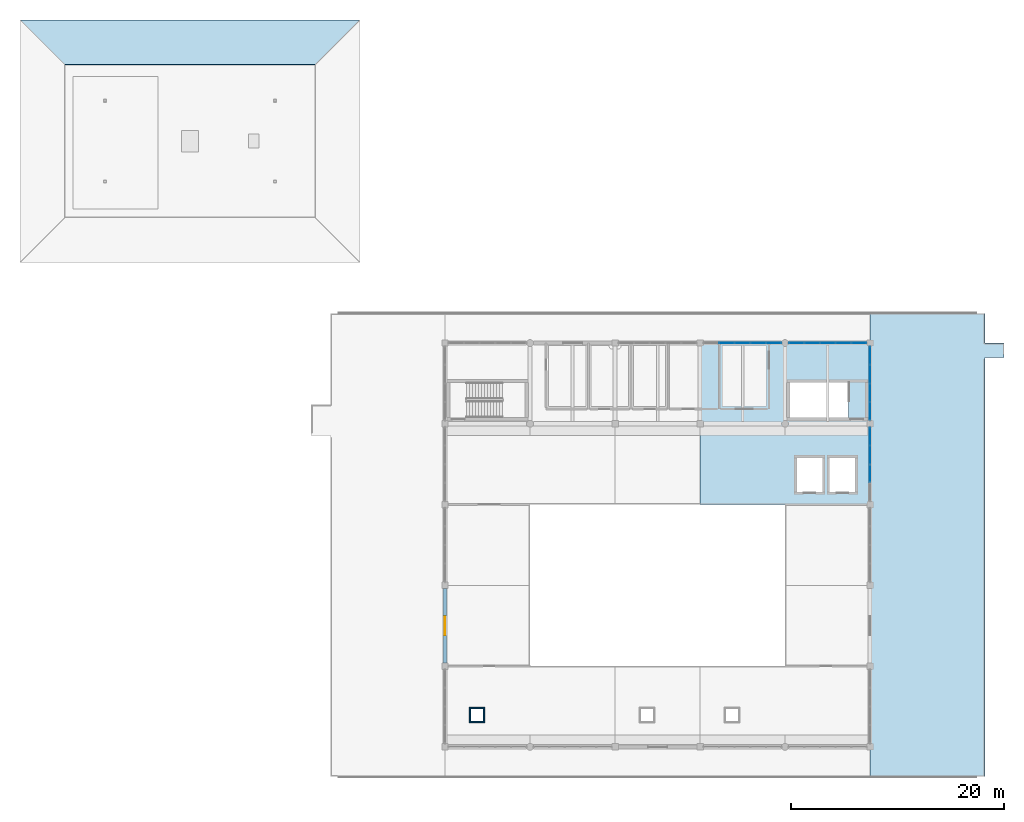
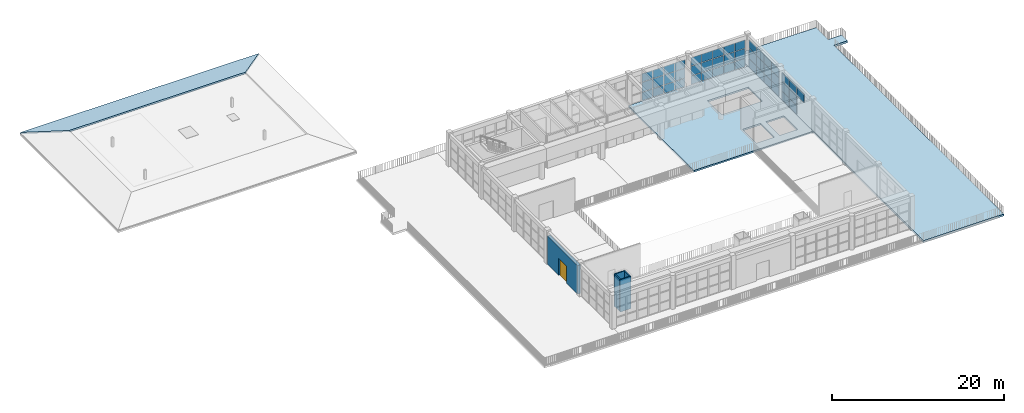
# One storey, part 25 of 32: 46 plates, 5 walls, 3 slabs, 1 door, 1 opening, 5 elements without a shape of their own.
"""IFC4 building model written with IfcOpenShell, lengths in metres."""

import ifcopenshell
import ifcopenshell.guid

model = None  # the IFC model being written
_history = None  # IfcOwnerHistory: only IFC2X3 demands one
_inside = {}  # id of a spatial element -> (the spatial element, [elements in it])
_under = {}  # id of a project, library or spatial element -> (it, [spatial elements below it])
_declared = {}  # id of a project -> (the project, [libraries it declares])
_typed = {}  # id of a type object -> (the type object, [elements of that type])
_made_of = {}  # id of a material, layer set ... -> (it, [elements and type objects made of it])


def new_model(schema):
    """Start an empty IFC model of exactly this schema.

    Asked for "IFC4X3", IfcOpenShell would pick the latest addendum, in which some entities
    have other attributes; the version numbers below select the first issue.
    IFC2X3 requires an IfcOwnerHistory on every rooted entity: one is made here for all.
    """
    global model, _history
    if schema == "IFC4X3":
        model = ifcopenshell.file(schema_version=(4, 3, 0, 0))
    else:
        model = ifcopenshell.file(schema=schema)
    _inside.clear()
    _under.clear()
    _declared.clear()
    _typed.clear()
    _made_of.clear()
    _history = None
    if model.schema == "IFC2X3":
        org = make("IfcOrganization", Name="unknown")
        user = make(
            "IfcPersonAndOrganization",
            ThePerson=make("IfcPerson", FamilyName="unknown"),
            TheOrganization=org,
        )
        app = make(
            "IfcApplication",
            ApplicationDeveloper=org,
            Version="unknown",
            ApplicationFullName="unknown",
            ApplicationIdentifier="unknown",
        )
        _history = make(
            "IfcOwnerHistory",
            OwningUser=user,
            OwningApplication=app,
            ChangeAction="ADDED",
            CreationDate=0,
        )
    return model


def make(cls, **values):
    """One entity of the class cls with the attributes given. An attribute that is None is left unset."""
    return model.create_entity(
        cls, **{name: value for name, value in values.items() if value is not None}
    )


def rooted(cls, **values):
    """An entity with a GlobalId (a new one), such as an element, a storey or a relation."""
    return make(cls, GlobalId=ifcopenshell.guid.new(), OwnerHistory=_history, **values)


def si_unit(unit_type, name, prefix=None):
    """IfcSIUnit, for example si_unit("LENGTHUNIT", "METRE", prefix="MILLI")."""
    return make("IfcSIUnit", UnitType=unit_type, Prefix=prefix, Name=name)


def assignment(units):
    """IfcUnitAssignment: the units of a project."""
    return None if units is None else make("IfcUnitAssignment", Units=units)


def point(xyz):
    """IfcCartesianPoint."""
    return None if xyz is None else make("IfcCartesianPoint", Coordinates=xyz)


def direction(xyz):
    """IfcDirection."""
    return None if xyz is None else make("IfcDirection", DirectionRatios=xyz)


def frame(location, z_axis=None, x_axis=None):
    """IfcAxis2Placement3D, a coordinate frame: its origin and axes. An axis left out is left unset."""
    return make(
        "IfcAxis2Placement3D",
        Location=point(location),
        Axis=direction(z_axis),
        RefDirection=direction(x_axis),
    )


def frame_2d(location, x_axis=None):
    """IfcAxis2Placement2D, a coordinate frame in the plane: its origin and x axis."""
    return make(
        "IfcAxis2Placement2D", Location=point(location), RefDirection=direction(x_axis)
    )


def origin():
    """The frame at (0, 0, 0) with its axes left unset."""
    return frame((0.0, 0.0, 0.0))


def origin_2d():
    """The frame at (0, 0) in the plane with its x axis left unset."""
    return frame_2d((0.0, 0.0))


def place(relative_to, where):
    """IfcLocalPlacement: puts the frame where relative to a parent placement (None: the world)."""
    return make(
        "IfcLocalPlacement", PlacementRelTo=relative_to, RelativePlacement=where
    )


def context(
    kind, dimensions, precision=None, world=None, true_north=None, identifier=None
):
    """IfcGeometricRepresentationContext, for example the 3D "Model" context."""
    return make(
        "IfcGeometricRepresentationContext",
        ContextIdentifier=identifier,
        ContextType=kind,
        CoordinateSpaceDimension=dimensions,
        Precision=precision,
        WorldCoordinateSystem=world,
        TrueNorth=true_north,
    )


def subcontext(parent, identifier, kind, view, scale=None):
    """IfcGeometricRepresentationSubContext, for example "Body" below "Model"."""
    return make(
        "IfcGeometricRepresentationSubContext",
        ContextIdentifier=identifier,
        ContextType=kind,
        ParentContext=parent,
        TargetScale=scale,
        TargetView=view,
    )


def project(units=None, contexts=None):
    """IfcProject with its units and contexts."""
    return rooted(
        "IfcProject",
        Name="project",
        RepresentationContexts=contexts,
        UnitsInContext=assignment(units),
    )


def spatial(cls, under=None, at=None, **own):
    """A site, building, storey or space (cls), placed at a placement, below another one or the project."""
    s = rooted(cls, ObjectPlacement=at, **own)
    if under is not None:
        _under.setdefault(under.id(), (under, []))[1].append(s)
    return s


def polyline(points):
    """IfcPolyline through the points."""
    return make("IfcPolyline", Points=[point(p) for p in points])


def profile(cls, at=None, kind="AREA", **sizes):
    """A parametric profile (cls). Its sizes go by their IFC names, for example OverallWidth=200.0."""
    return make(cls, ProfileType=kind, Position=at, **sizes)


def rectangle(**sizes):
    """IfcRectangleProfileDef."""
    return profile("IfcRectangleProfileDef", **sizes)


def outline(outer, holes=None, kind="AREA"):
    """IfcArbitraryClosedProfileDef: a profile drawn as a closed curve; with holes, ...WithVoids."""
    if holes is None:
        return make("IfcArbitraryClosedProfileDef", ProfileType=kind, OuterCurve=outer)
    return make(
        "IfcArbitraryProfileDefWithVoids",
        ProfileType=kind,
        OuterCurve=outer,
        InnerCurves=holes,
    )


def extrude(swept, where, along, depth):
    """IfcExtrudedAreaSolid: the profile swept, set in the frame where, extruded along a direction by depth."""
    return make(
        "IfcExtrudedAreaSolid",
        SweptArea=swept,
        Position=where,
        ExtrudedDirection=direction(along),
        Depth=depth,
    )


def shape(context_of_items, identifier, shape_type, items):
    """IfcShapeRepresentation: the items that make up one representation, for example the "Body"."""
    return make(
        "IfcShapeRepresentation",
        ContextOfItems=context_of_items,
        RepresentationIdentifier=identifier,
        RepresentationType=shape_type,
        Items=items,
    )


def material(Name=None, Category=None):
    """IfcMaterial."""
    return make("IfcMaterial", Name=Name, Category=Category)


def layer(
    of_material, thickness, ventilated=None, Name=None, Category=None, Priority=None
):
    """IfcMaterialLayer: one layer of a wall or slab, of a material (None: an air gap)."""
    return make(
        "IfcMaterialLayer",
        Material=of_material,
        LayerThickness=thickness,
        IsVentilated=ventilated,
        Name=Name,
        Category=Category,
        Priority=Priority,
    )


def layer_set(layers, Name=None):
    """IfcMaterialLayerSet."""
    return make("IfcMaterialLayerSet", MaterialLayers=layers, LayerSetName=Name)


def made_of(thing, what):
    """Note that an element or type object is made of a material, layer set ...; save() writes the relation."""
    if what is not None:
        _made_of.setdefault(what.id(), (what, []))[1].append(thing)
    return thing


def type_object(cls, material=None, **own):
    """A type object (cls), such as IfcWallType, which elements share."""
    return made_of(rooted(cls, **own), material)


def element(
    cls,
    number,
    at=None,
    inside=None,
    cuts=None,
    type_object=None,
    material=None,
    context=None,
    identifier="Body",
    shape_type=None,
    held_by="IfcProductDefinitionShape",
    body=None,
    shapes=None,
    **own,
):
    """One element of the class cls, such as IfcWall. Its Tag is "e" and its number.

    at: its placement. inside: the storey or other place that contains it. cuts: it is an
    opening in that element (IfcRelVoidsElement). A single representation is given by context,
    identifier, shape_type and body (its items); several are given by shapes. held_by: the class
    of the entity that holds the representations. save() writes the other relations.
    """
    e = rooted(cls, Tag="e%d" % number, ObjectPlacement=at, **own)
    if body is not None:
        shapes = [shape(context, identifier, shape_type, body)]
    if shapes is not None:
        e.Representation = make(held_by, Representations=shapes)
    if inside is not None:
        _inside.setdefault(inside.id(), (inside, []))[1].append(e)
    if cuts is not None:
        rooted(
            "IfcRelVoidsElement", RelatingBuildingElement=cuts, RelatedOpeningElement=e
        )
    if type_object is not None:
        _typed.setdefault(type_object.id(), (type_object, []))[1].append(e)
    return made_of(e, material)


def fill(opening, filler):
    """IfcRelFillsElement: the door or window that sits in an opening."""
    return rooted(
        "IfcRelFillsElement",
        RelatingOpeningElement=opening,
        RelatedBuildingElement=filler,
    )


def aggregate(whole, parts):
    """IfcRelAggregates: a whole, such as a stair, and the parts it consists of."""
    return rooted("IfcRelAggregates", RelatingObject=whole, RelatedObjects=parts)


def save(model, path):
    """Write the relations noted so far, then the file.

    IfcRelAggregates (storeys below a building ...), IfcRelContainedInSpatialStructure (elements
    in a storey), IfcRelDefinesByType, IfcRelAssociatesMaterial and IfcRelDeclares: one each for
    every whole, place, type object, material and project.
    """
    for whole, parts in _under.values():
        aggregate(whole, parts)
    for where, things in _inside.values():
        rooted(
            "IfcRelContainedInSpatialStructure",
            RelatedElements=things,
            RelatingStructure=where,
        )
    for kind, things in _typed.values():
        rooted("IfcRelDefinesByType", RelatedObjects=things, RelatingType=kind)
    for what, things in _made_of.values():
        rooted("IfcRelAssociatesMaterial", RelatedObjects=things, RelatingMaterial=what)
    for by, libraries in _declared.values():
        rooted("IfcRelDeclares", RelatingContext=by, RelatedDefinitions=libraries)
    model.write(path)


model = new_model("IFC4")

# Units and contexts
model_context = context("Model", 3, precision=1e-05, world=origin(), true_north=direction((0.0, 1.0)))
body_context = subcontext(model_context, "Body", "Model", "MODEL_VIEW")
ifc_project = project(units=[si_unit("LENGTHUNIT", "METRE"), si_unit("AREAUNIT", "SQUARE_METRE"), si_unit("VOLUMEUNIT", "CUBIC_METRE"), si_unit("PLANEANGLEUNIT", "RADIAN"), si_unit("MASSUNIT", "GRAM", prefix="KILO")], contexts=[model_context])

# Site, building, storey
site_placement = place(None, origin())
site = spatial("IfcSite", under=ifc_project, at=site_placement, CompositionType="ELEMENT")
building_placement = place(site_placement, origin())
building = spatial("IfcBuilding", under=site, at=building_placement, Name="Zantavel Square City Hall", CompositionType="ELEMENT")
storey_placement = place(building_placement, frame((0.0, 0.0, 23.699951171875)))
storey = spatial("IfcBuildingStorey", under=building, at=storey_placement, Name="L06", CompositionType="ELEMENT", Elevation=23.699951171875)

# Slab
ifc_material_1 = material(Name="Concrete C35/45", Category="concrete")
ifc_layer_1 = layer(ifc_material_1, 0.22998046875, Name="Concrete C35/45")
ifc_layer_set_1 = layer_set([ifc_layer_1], Name="Concrete C35/45")
slab_type_1 = type_object("IfcSlabType", Name="Gallery Mezzanine Slab 230mm C35/45", PredefinedType="FLOOR", material=ifc_layer_set_1)
slab_1_placement = place(storey_placement, frame((0.0, 0.0, -0.22998046875)))
element("IfcSlab", 1, at=slab_1_placement, inside=storey, type_object=slab_type_1, Name="L06 Floor Slab SLB-L06-V1-09", PredefinedType="FLOOR", context=body_context, shape_type="SweptSolid", body=[
    extrude(outline(polyline([(88.0, 53.199951171875), (88.0, 68.39990234375), (104.0, 68.39990234375), (104.0, 53.199951171875), (96.0, 53.199951171875), (96.0, 53.199951171875), (88.0, 53.199951171875)]), holes=[polyline([(96.469970703125, 61.39990234375), (101.949951171875, 61.39990234375), (101.949951171875, 64.669921875), (96.469970703125, 64.669921875), (96.469970703125, 61.39990234375)]), polyline([(97.10009765625, 57.60009765625), (97.10009765625, 54.39990234375), (99.5, 54.39990234375), (99.5, 57.60009765625), (97.10009765625, 57.60009765625)]), polyline([(102.60009765625, 57.60009765625), (100.199951171875, 57.60009765625), (100.199951171875, 54.39990234375), (102.60009765625, 54.39990234375), (102.60009765625, 57.60009765625)])]), origin(), (0.0, 0.0, 1.0), 0.22998046875),
])

# Curtain wall, plates
ifc_material_2 = material(Name="Anodised aluminium 6063-T6", Category="aluminium")
curtain_wall_type_1 = type_object("IfcCurtainWallType", Name="Curtain Wall TRV1 7375x3930", PredefinedType="USERDEFINED", material=ifc_material_2)
curtain_wall_1_placement = place(storey_placement, origin())
curtain_wall_1 = element("IfcCurtainWall", 2, at=curtain_wall_1_placement, inside=storey, type_object=curtain_wall_type_1, Name="L06 Glazed Curtain Wall CW-L06-148", ObjectType="GLAZED CURTAIN WALL", PredefinedType="USERDEFINED")
ifc_material_3 = material(Name="Tempered safety glass low-E double glazing", Category="glass")
ifc_layer_2 = layer(ifc_material_3, 0.028076171875, Name="Tempered safety glass low-E double glazing")
ifc_layer_set_2 = layer_set([ifc_layer_2], Name="Tempered safety glass low-E double glazing")
plate_type_1 = type_object("IfcPlateType", Name="Low-E Curtain Glazing Panel 1475x1310x28", PredefinedType="CURTAIN_PANEL", material=ifc_layer_set_2)
plate_1_placement = place(storey_placement, frame((90.512451171875, 68.39990234375, 0.06005859375), z_axis=(0.0, 0.0, 1.0), x_axis=(1.0, 0.0, 0.0)))
plate_1 = element("IfcPlate", 3, at=plate_1_placement, type_object=plate_type_1, Name="CW-148 panel 2.1", PredefinedType="CURTAIN_PANEL", context=body_context, shape_type="SweptSolid", body=[
    extrude(rectangle(XDim=1.4150390625, YDim=0.028076171875, at=origin_2d()), origin(), (0.0, 0.0, 1.0), 1.16796875),
])
plate_2_placement = place(storey_placement, frame((90.512451171875, 68.39990234375, 1.2880859375), z_axis=(0.0, 0.0, 1.0), x_axis=(1.0, 0.0, 0.0)))
plate_2 = element("IfcPlate", 4, at=plate_2_placement, type_object=plate_type_1, Name="CW-148 panel 2.2", PredefinedType="CURTAIN_PANEL", context=body_context, shape_type="SweptSolid", body=[
    extrude(rectangle(XDim=1.4150390625, YDim=0.028076171875, at=origin_2d()), origin(), (0.0, 0.0, 1.0), 1.35400390625),
])
plate_3_placement = place(storey_placement, frame((90.512451171875, 68.39990234375, 2.7021484375), z_axis=(0.0, 0.0, 1.0), x_axis=(1.0, 0.0, 0.0)))
plate_3 = element("IfcPlate", 5, at=plate_3_placement, type_object=plate_type_1, Name="CW-148 panel 2.3", PredefinedType="CURTAIN_PANEL", context=body_context, shape_type="SweptSolid", body=[
    extrude(rectangle(XDim=1.4150390625, YDim=0.028076171875, at=origin_2d()), origin(), (0.0, 0.0, 1.0), 1.16796875),
])
plate_4_placement = place(storey_placement, frame((91.987548828125, 68.39990234375, 0.06005859375), z_axis=(0.0, 0.0, 1.0), x_axis=(1.0, 0.0, 0.0)))
plate_4 = element("IfcPlate", 6, at=plate_4_placement, type_object=plate_type_1, Name="CW-148 panel 3.1", PredefinedType="CURTAIN_PANEL", context=body_context, shape_type="SweptSolid", body=[
    extrude(rectangle(XDim=1.4150390625, YDim=0.028076171875, at=origin_2d()), origin(), (0.0, 0.0, 1.0), 1.16796875),
])
plate_5_placement = place(storey_placement, frame((91.987548828125, 68.39990234375, 1.2880859375), z_axis=(0.0, 0.0, 1.0), x_axis=(1.0, 0.0, 0.0)))
plate_5 = element("IfcPlate", 7, at=plate_5_placement, type_object=plate_type_1, Name="CW-148 panel 3.2", PredefinedType="CURTAIN_PANEL", context=body_context, shape_type="SweptSolid", body=[
    extrude(rectangle(XDim=1.4150390625, YDim=0.028076171875, at=origin_2d()), origin(), (0.0, 0.0, 1.0), 1.35400390625),
])
plate_6_placement = place(storey_placement, frame((91.987548828125, 68.39990234375, 2.7021484375), z_axis=(0.0, 0.0, 1.0), x_axis=(1.0, 0.0, 0.0)))
plate_6 = element("IfcPlate", 8, at=plate_6_placement, type_object=plate_type_1, Name="CW-148 panel 3.3", PredefinedType="CURTAIN_PANEL", context=body_context, shape_type="SweptSolid", body=[
    extrude(rectangle(XDim=1.4150390625, YDim=0.028076171875, at=origin_2d()), origin(), (0.0, 0.0, 1.0), 1.16796875),
])
plate_7_placement = place(storey_placement, frame((93.46240234375, 68.39990234375, 0.06005859375), z_axis=(0.0, 0.0, 1.0), x_axis=(1.0, 0.0, 0.0)))
plate_7 = element("IfcPlate", 9, at=plate_7_placement, type_object=plate_type_1, Name="CW-148 panel 4.1", PredefinedType="CURTAIN_PANEL", context=body_context, shape_type="SweptSolid", body=[
    extrude(rectangle(XDim=1.4150390625, YDim=0.028076171875, at=origin_2d()), origin(), (0.0, 0.0, 1.0), 1.16796875),
])
plate_8_placement = place(storey_placement, frame((93.46240234375, 68.39990234375, 1.2880859375), z_axis=(0.0, 0.0, 1.0), x_axis=(1.0, 0.0, 0.0)))
plate_8 = element("IfcPlate", 10, at=plate_8_placement, type_object=plate_type_1, Name="CW-148 panel 4.2", PredefinedType="CURTAIN_PANEL", context=body_context, shape_type="SweptSolid", body=[
    extrude(rectangle(XDim=1.4150390625, YDim=0.028076171875, at=origin_2d()), origin(), (0.0, 0.0, 1.0), 1.35400390625),
])
plate_9_placement = place(storey_placement, frame((93.46240234375, 68.39990234375, 2.7021484375), z_axis=(0.0, 0.0, 1.0), x_axis=(1.0, 0.0, 0.0)))
plate_9 = element("IfcPlate", 11, at=plate_9_placement, type_object=plate_type_1, Name="CW-148 panel 4.3", PredefinedType="CURTAIN_PANEL", context=body_context, shape_type="SweptSolid", body=[
    extrude(rectangle(XDim=1.4150390625, YDim=0.028076171875, at=origin_2d()), origin(), (0.0, 0.0, 1.0), 1.16796875),
])
plate_10_placement = place(storey_placement, frame((94.922607421875, 68.39990234375, 0.06005859375), z_axis=(0.0, 0.0, 1.0), x_axis=(1.0, 0.0, 0.0)))
plate_10 = element("IfcPlate", 12, at=plate_10_placement, type_object=plate_type_1, Name="CW-148 panel 5.1", PredefinedType="CURTAIN_PANEL", context=body_context, shape_type="SweptSolid", body=[
    extrude(rectangle(XDim=1.385009765625, YDim=0.028076171875, at=origin_2d()), origin(), (0.0, 0.0, 1.0), 1.16796875),
])
plate_11_placement = place(storey_placement, frame((94.922607421875, 68.39990234375, 1.2880859375), z_axis=(0.0, 0.0, 1.0), x_axis=(1.0, 0.0, 0.0)))
plate_11 = element("IfcPlate", 13, at=plate_11_placement, type_object=plate_type_1, Name="CW-148 panel 5.2", PredefinedType="CURTAIN_PANEL", context=body_context, shape_type="SweptSolid", body=[
    extrude(rectangle(XDim=1.385009765625, YDim=0.028076171875, at=origin_2d()), origin(), (0.0, 0.0, 1.0), 1.35400390625),
])
plate_12_placement = place(storey_placement, frame((94.922607421875, 68.39990234375, 2.7021484375), z_axis=(0.0, 0.0, 1.0), x_axis=(1.0, 0.0, 0.0)))
plate_12 = element("IfcPlate", 14, at=plate_12_placement, type_object=plate_type_1, Name="CW-148 panel 5.3", PredefinedType="CURTAIN_PANEL", context=body_context, shape_type="SweptSolid", body=[
    extrude(rectangle(XDim=1.385009765625, YDim=0.028076171875, at=origin_2d()), origin(), (0.0, 0.0, 1.0), 1.16796875),
])
aggregate(curtain_wall_1, [plate_1, plate_2, plate_3, plate_4, plate_5, plate_6, plate_7, plate_8, plate_9, plate_10, plate_11, plate_12])

curtain_wall_2_placement = place(storey_placement, origin())
curtain_wall_2 = element("IfcCurtainWall", 15, at=curtain_wall_2_placement, inside=storey, type_object=curtain_wall_type_1, Name="L06 Glazed Curtain Wall CW-L06-149", ObjectType="GLAZED CURTAIN WALL", PredefinedType="USERDEFINED")
plate_13_placement = place(storey_placement, frame((97.077392578125, 68.39990234375, 0.06005859375), z_axis=(0.0, 0.0, 1.0), x_axis=(1.0, 0.0, 0.0)))
plate_13 = element("IfcPlate", 16, at=plate_13_placement, type_object=plate_type_1, Name="CW-149 panel 1.1", PredefinedType="CURTAIN_PANEL", context=body_context, shape_type="SweptSolid", body=[
    extrude(rectangle(XDim=1.385009765625, YDim=0.028076171875, at=origin_2d()), origin(), (0.0, 0.0, 1.0), 1.16796875),
])
plate_14_placement = place(storey_placement, frame((97.077392578125, 68.39990234375, 1.2880859375), z_axis=(0.0, 0.0, 1.0), x_axis=(1.0, 0.0, 0.0)))
plate_14 = element("IfcPlate", 17, at=plate_14_placement, type_object=plate_type_1, Name="CW-149 panel 1.2", PredefinedType="CURTAIN_PANEL", context=body_context, shape_type="SweptSolid", body=[
    extrude(rectangle(XDim=1.385009765625, YDim=0.028076171875, at=origin_2d()), origin(), (0.0, 0.0, 1.0), 1.35400390625),
])
plate_15_placement = place(storey_placement, frame((97.077392578125, 68.39990234375, 2.7021484375), z_axis=(0.0, 0.0, 1.0), x_axis=(1.0, 0.0, 0.0)))
plate_15 = element("IfcPlate", 18, at=plate_15_placement, type_object=plate_type_1, Name="CW-149 panel 1.3", PredefinedType="CURTAIN_PANEL", context=body_context, shape_type="SweptSolid", body=[
    extrude(rectangle(XDim=1.385009765625, YDim=0.028076171875, at=origin_2d()), origin(), (0.0, 0.0, 1.0), 1.16796875),
])
plate_16_placement = place(storey_placement, frame((98.53759765625, 68.39990234375, 0.06005859375), z_axis=(0.0, 0.0, 1.0), x_axis=(1.0, 0.0, 0.0)))
plate_16 = element("IfcPlate", 19, at=plate_16_placement, type_object=plate_type_1, Name="CW-149 panel 2.1", PredefinedType="CURTAIN_PANEL", context=body_context, shape_type="SweptSolid", body=[
    extrude(rectangle(XDim=1.4150390625, YDim=0.028076171875, at=origin_2d()), origin(), (0.0, 0.0, 1.0), 1.16796875),
])
plate_17_placement = place(storey_placement, frame((98.53759765625, 68.39990234375, 1.2880859375), z_axis=(0.0, 0.0, 1.0), x_axis=(1.0, 0.0, 0.0)))
plate_17 = element("IfcPlate", 20, at=plate_17_placement, type_object=plate_type_1, Name="CW-149 panel 2.2", PredefinedType="CURTAIN_PANEL", context=body_context, shape_type="SweptSolid", body=[
    extrude(rectangle(XDim=1.4150390625, YDim=0.028076171875, at=origin_2d()), origin(), (0.0, 0.0, 1.0), 1.35400390625),
])
plate_18_placement = place(storey_placement, frame((98.53759765625, 68.39990234375, 2.7021484375), z_axis=(0.0, 0.0, 1.0), x_axis=(1.0, 0.0, 0.0)))
plate_18 = element("IfcPlate", 21, at=plate_18_placement, type_object=plate_type_1, Name="CW-149 panel 2.3", PredefinedType="CURTAIN_PANEL", context=body_context, shape_type="SweptSolid", body=[
    extrude(rectangle(XDim=1.4150390625, YDim=0.028076171875, at=origin_2d()), origin(), (0.0, 0.0, 1.0), 1.16796875),
])
plate_19_placement = place(storey_placement, frame((100.012451171875, 68.39990234375, 0.06005859375), z_axis=(0.0, 0.0, 1.0), x_axis=(1.0, 0.0, 0.0)))
plate_19 = element("IfcPlate", 22, at=plate_19_placement, type_object=plate_type_1, Name="CW-149 panel 3.1", PredefinedType="CURTAIN_PANEL", context=body_context, shape_type="SweptSolid", body=[
    extrude(rectangle(XDim=1.4150390625, YDim=0.028076171875, at=origin_2d()), origin(), (0.0, 0.0, 1.0), 1.16796875),
])
plate_20_placement = place(storey_placement, frame((100.012451171875, 68.39990234375, 1.2880859375), z_axis=(0.0, 0.0, 1.0), x_axis=(1.0, 0.0, 0.0)))
plate_20 = element("IfcPlate", 23, at=plate_20_placement, type_object=plate_type_1, Name="CW-149 panel 3.2", PredefinedType="CURTAIN_PANEL", context=body_context, shape_type="SweptSolid", body=[
    extrude(rectangle(XDim=1.4150390625, YDim=0.028076171875, at=origin_2d()), origin(), (0.0, 0.0, 1.0), 1.35400390625),
])
plate_21_placement = place(storey_placement, frame((100.012451171875, 68.39990234375, 2.7021484375), z_axis=(0.0, 0.0, 1.0), x_axis=(1.0, 0.0, 0.0)))
plate_21 = element("IfcPlate", 24, at=plate_21_placement, type_object=plate_type_1, Name="CW-149 panel 3.3", PredefinedType="CURTAIN_PANEL", context=body_context, shape_type="SweptSolid", body=[
    extrude(rectangle(XDim=1.4150390625, YDim=0.028076171875, at=origin_2d()), origin(), (0.0, 0.0, 1.0), 1.16796875),
])
plate_22_placement = place(storey_placement, frame((101.487548828125, 68.39990234375, 0.06005859375), z_axis=(0.0, 0.0, 1.0), x_axis=(1.0, 0.0, 0.0)))
plate_22 = element("IfcPlate", 25, at=plate_22_placement, type_object=plate_type_1, Name="CW-149 panel 4.1", PredefinedType="CURTAIN_PANEL", context=body_context, shape_type="SweptSolid", body=[
    extrude(rectangle(XDim=1.4150390625, YDim=0.028076171875, at=origin_2d()), origin(), (0.0, 0.0, 1.0), 1.16796875),
])
plate_23_placement = place(storey_placement, frame((101.487548828125, 68.39990234375, 1.2880859375), z_axis=(0.0, 0.0, 1.0), x_axis=(1.0, 0.0, 0.0)))
plate_23 = element("IfcPlate", 26, at=plate_23_placement, type_object=plate_type_1, Name="CW-149 panel 4.2", PredefinedType="CURTAIN_PANEL", context=body_context, shape_type="SweptSolid", body=[
    extrude(rectangle(XDim=1.4150390625, YDim=0.028076171875, at=origin_2d()), origin(), (0.0, 0.0, 1.0), 1.35400390625),
])
plate_24_placement = place(storey_placement, frame((101.487548828125, 68.39990234375, 2.7021484375), z_axis=(0.0, 0.0, 1.0), x_axis=(1.0, 0.0, 0.0)))
plate_24 = element("IfcPlate", 27, at=plate_24_placement, type_object=plate_type_1, Name="CW-149 panel 4.3", PredefinedType="CURTAIN_PANEL", context=body_context, shape_type="SweptSolid", body=[
    extrude(rectangle(XDim=1.4150390625, YDim=0.028076171875, at=origin_2d()), origin(), (0.0, 0.0, 1.0), 1.16796875),
])
plate_25_placement = place(storey_placement, frame((102.947509765625, 68.39990234375, 0.06005859375), z_axis=(0.0, 0.0, 1.0), x_axis=(1.0, 0.0, 0.0)))
plate_25 = element("IfcPlate", 28, at=plate_25_placement, type_object=plate_type_1, Name="CW-149 panel 5.1", PredefinedType="CURTAIN_PANEL", context=body_context, shape_type="SweptSolid", body=[
    extrude(rectangle(XDim=1.385009765625, YDim=0.028076171875, at=origin_2d()), origin(), (0.0, 0.0, 1.0), 1.16796875),
])
plate_26_placement = place(storey_placement, frame((102.947509765625, 68.39990234375, 1.2880859375), z_axis=(0.0, 0.0, 1.0), x_axis=(1.0, 0.0, 0.0)))
plate_26 = element("IfcPlate", 29, at=plate_26_placement, type_object=plate_type_1, Name="CW-149 panel 5.2", PredefinedType="CURTAIN_PANEL", context=body_context, shape_type="SweptSolid", body=[
    extrude(rectangle(XDim=1.385009765625, YDim=0.028076171875, at=origin_2d()), origin(), (0.0, 0.0, 1.0), 1.35400390625),
])
plate_27_placement = place(storey_placement, frame((102.947509765625, 68.39990234375, 2.7021484375), z_axis=(0.0, 0.0, 1.0), x_axis=(1.0, 0.0, 0.0)))
plate_27 = element("IfcPlate", 30, at=plate_27_placement, type_object=plate_type_1, Name="CW-149 panel 5.3", PredefinedType="CURTAIN_PANEL", context=body_context, shape_type="SweptSolid", body=[
    extrude(rectangle(XDim=1.385009765625, YDim=0.028076171875, at=origin_2d()), origin(), (0.0, 0.0, 1.0), 1.16796875),
])
aggregate(curtain_wall_2, [plate_13, plate_14, plate_15, plate_16, plate_17, plate_18, plate_19, plate_20, plate_21, plate_22, plate_23, plate_24, plate_25, plate_26, plate_27])

curtain_wall_type_2 = type_object("IfcCurtainWallType", Name="Curtain Wall TRV1 7000x4030", PredefinedType="USERDEFINED", material=ifc_material_2)
curtain_wall_3_placement = place(storey_placement, origin())
curtain_wall_3 = element("IfcCurtainWall", 31, at=curtain_wall_3_placement, inside=storey, type_object=curtain_wall_type_2, Name="L06 Glazed Curtain Wall CW-L06-150", ObjectType="GLAZED CURTAIN WALL", PredefinedType="USERDEFINED")
ifc_layer_3 = layer(ifc_material_3, 0.028076171875, Name="Tempered safety glass low-E double glazing")
ifc_layer_set_3 = layer_set([ifc_layer_3], Name="Tempered safety glass low-E double glazing")
plate_type_2 = type_object("IfcPlateType", Name="Low-E Curtain Glazing Panel 1750x1343x28", PredefinedType="CURTAIN_PANEL", material=ifc_layer_set_3)
plate_28_placement = place(storey_placement, frame((104.0, 67.2099609375, 0.06005859375), z_axis=(0.0, 0.0, 1.0), x_axis=(0.0, -1.0, 0.0)))
plate_28 = element("IfcPlate", 32, at=plate_28_placement, type_object=plate_type_2, Name="CW-150 panel 1.1", PredefinedType="CURTAIN_PANEL", context=body_context, shape_type="SweptSolid", body=[
    extrude(rectangle(XDim=1.659912109375, YDim=0.028076171875, at=origin_2d()), origin(), (0.0, 0.0, 1.0), 1.199951171875),
])
plate_29_placement = place(storey_placement, frame((104.0, 67.2099609375, 1.3203125), z_axis=(0.0, 0.0, 1.0), x_axis=(0.0, -1.0, 0.0)))
plate_29 = element("IfcPlate", 33, at=plate_29_placement, type_object=plate_type_2, Name="CW-150 panel 1.2", PredefinedType="CURTAIN_PANEL", context=body_context, shape_type="SweptSolid", body=[
    extrude(rectangle(XDim=1.659912109375, YDim=0.028076171875, at=origin_2d()), origin(), (0.0, 0.0, 1.0), 1.389892578125),
])
plate_30_placement = place(storey_placement, frame((104.0, 67.2099609375, 2.77001953125), z_axis=(0.0, 0.0, 1.0), x_axis=(0.0, -1.0, 0.0)))
plate_30 = element("IfcPlate", 34, at=plate_30_placement, type_object=plate_type_2, Name="CW-150 panel 1.3", PredefinedType="CURTAIN_PANEL", context=body_context, shape_type="SweptSolid", body=[
    extrude(rectangle(XDim=1.659912109375, YDim=0.028076171875, at=origin_2d()), origin(), (0.0, 0.0, 1.0), 1.199951171875),
])
plate_31_placement = place(storey_placement, frame((104.0, 65.47509765625, 0.06005859375), z_axis=(0.0, 0.0, 1.0), x_axis=(0.0, -1.0, 0.0)))
plate_31 = element("IfcPlate", 35, at=plate_31_placement, type_object=plate_type_2, Name="CW-150 panel 2.1", PredefinedType="CURTAIN_PANEL", context=body_context, shape_type="SweptSolid", body=[
    extrude(rectangle(XDim=1.68994140625, YDim=0.028076171875, at=origin_2d()), origin(), (0.0, 0.0, 1.0), 1.199951171875),
])
plate_32_placement = place(storey_placement, frame((104.0, 65.47509765625, 1.3203125), z_axis=(0.0, 0.0, 1.0), x_axis=(0.0, -1.0, 0.0)))
plate_32 = element("IfcPlate", 36, at=plate_32_placement, type_object=plate_type_2, Name="CW-150 panel 2.2", PredefinedType="CURTAIN_PANEL", context=body_context, shape_type="SweptSolid", body=[
    extrude(rectangle(XDim=1.68994140625, YDim=0.028076171875, at=origin_2d()), origin(), (0.0, 0.0, 1.0), 1.389892578125),
])
plate_33_placement = place(storey_placement, frame((104.0, 65.47509765625, 2.77001953125), z_axis=(0.0, 0.0, 1.0), x_axis=(0.0, -1.0, 0.0)))
plate_33 = element("IfcPlate", 37, at=plate_33_placement, type_object=plate_type_2, Name="CW-150 panel 2.3", PredefinedType="CURTAIN_PANEL", context=body_context, shape_type="SweptSolid", body=[
    extrude(rectangle(XDim=1.68994140625, YDim=0.028076171875, at=origin_2d()), origin(), (0.0, 0.0, 1.0), 1.199951171875),
])
plate_34_placement = place(storey_placement, frame((104.0, 63.72509765625, 0.06005859375), z_axis=(0.0, 0.0, 1.0), x_axis=(0.0, -1.0, 0.0)))
plate_34 = element("IfcPlate", 38, at=plate_34_placement, type_object=plate_type_2, Name="CW-150 panel 3.1", PredefinedType="CURTAIN_PANEL", context=body_context, shape_type="SweptSolid", body=[
    extrude(rectangle(XDim=1.68994140625, YDim=0.028076171875, at=origin_2d()), origin(), (0.0, 0.0, 1.0), 1.199951171875),
])
plate_35_placement = place(storey_placement, frame((104.0, 63.72509765625, 1.3203125), z_axis=(0.0, 0.0, 1.0), x_axis=(0.0, -1.0, 0.0)))
plate_35 = element("IfcPlate", 39, at=plate_35_placement, type_object=plate_type_2, Name="CW-150 panel 3.2", PredefinedType="CURTAIN_PANEL", context=body_context, shape_type="SweptSolid", body=[
    extrude(rectangle(XDim=1.68994140625, YDim=0.028076171875, at=origin_2d()), origin(), (0.0, 0.0, 1.0), 1.389892578125),
])
plate_36_placement = place(storey_placement, frame((104.0, 63.72509765625, 2.77001953125), z_axis=(0.0, 0.0, 1.0), x_axis=(0.0, -1.0, 0.0)))
plate_36 = element("IfcPlate", 40, at=plate_36_placement, type_object=plate_type_2, Name="CW-150 panel 3.3", PredefinedType="CURTAIN_PANEL", context=body_context, shape_type="SweptSolid", body=[
    extrude(rectangle(XDim=1.68994140625, YDim=0.028076171875, at=origin_2d()), origin(), (0.0, 0.0, 1.0), 1.199951171875),
])
plate_37_placement = place(storey_placement, frame((104.0, 61.989990234375, 0.06005859375), z_axis=(0.0, 0.0, 1.0), x_axis=(0.0, -1.0, 0.0)))
plate_37 = element("IfcPlate", 41, at=plate_37_placement, type_object=plate_type_2, Name="CW-150 panel 4.1", PredefinedType="CURTAIN_PANEL", context=body_context, shape_type="SweptSolid", body=[
    extrude(rectangle(XDim=1.659912109375, YDim=0.028076171875, at=origin_2d()), origin(), (0.0, 0.0, 1.0), 1.199951171875),
])
plate_38_placement = place(storey_placement, frame((104.0, 61.989990234375, 1.3203125), z_axis=(0.0, 0.0, 1.0), x_axis=(0.0, -1.0, 0.0)))
plate_38 = element("IfcPlate", 42, at=plate_38_placement, type_object=plate_type_2, Name="CW-150 panel 4.2", PredefinedType="CURTAIN_PANEL", context=body_context, shape_type="SweptSolid", body=[
    extrude(rectangle(XDim=1.659912109375, YDim=0.028076171875, at=origin_2d()), origin(), (0.0, 0.0, 1.0), 1.389892578125),
])
plate_39_placement = place(storey_placement, frame((104.0, 61.989990234375, 2.77001953125), z_axis=(0.0, 0.0, 1.0), x_axis=(0.0, -1.0, 0.0)))
plate_39 = element("IfcPlate", 43, at=plate_39_placement, type_object=plate_type_2, Name="CW-150 panel 4.3", PredefinedType="CURTAIN_PANEL", context=body_context, shape_type="SweptSolid", body=[
    extrude(rectangle(XDim=1.659912109375, YDim=0.028076171875, at=origin_2d()), origin(), (0.0, 0.0, 1.0), 1.199951171875),
])
aggregate(curtain_wall_3, [plate_28, plate_29, plate_30, plate_31, plate_32, plate_33, plate_34, plate_35, plate_36, plate_37, plate_38, plate_39])

curtain_wall_4_placement = place(storey_placement, origin())
curtain_wall_4 = element("IfcCurtainWall", 44, at=curtain_wall_4_placement, inside=storey, type_object=curtain_wall_type_2, Name="L06 Glazed Curtain Wall CW-L06-151", ObjectType="GLAZED CURTAIN WALL", PredefinedType="USERDEFINED")
plate_40_placement = place(storey_placement, frame((104.0, 59.610107421875, 0.06005859375), z_axis=(0.0, 0.0, 1.0), x_axis=(0.0, -1.0, 0.0)))
plate_40 = element("IfcPlate", 45, at=plate_40_placement, type_object=plate_type_2, Name="CW-151 panel 1.1", PredefinedType="CURTAIN_PANEL", context=body_context, shape_type="SweptSolid", body=[
    extrude(rectangle(XDim=1.659912109375, YDim=0.028076171875, at=origin_2d()), origin(), (0.0, 0.0, 1.0), 1.199951171875),
])
plate_41_placement = place(storey_placement, frame((104.0, 59.610107421875, 1.3203125), z_axis=(0.0, 0.0, 1.0), x_axis=(0.0, -1.0, 0.0)))
plate_41 = element("IfcPlate", 46, at=plate_41_placement, type_object=plate_type_2, Name="CW-151 panel 1.2", PredefinedType="CURTAIN_PANEL", context=body_context, shape_type="SweptSolid", body=[
    extrude(rectangle(XDim=1.659912109375, YDim=0.028076171875, at=origin_2d()), origin(), (0.0, 0.0, 1.0), 1.389892578125),
])
plate_42_placement = place(storey_placement, frame((104.0, 59.610107421875, 2.77001953125), z_axis=(0.0, 0.0, 1.0), x_axis=(0.0, -1.0, 0.0)))
plate_42 = element("IfcPlate", 47, at=plate_42_placement, type_object=plate_type_2, Name="CW-151 panel 1.3", PredefinedType="CURTAIN_PANEL", context=body_context, shape_type="SweptSolid", body=[
    extrude(rectangle(XDim=1.659912109375, YDim=0.028076171875, at=origin_2d()), origin(), (0.0, 0.0, 1.0), 1.199951171875),
])
plate_43_placement = place(storey_placement, frame((104.0, 57.875, 0.06005859375), z_axis=(0.0, 0.0, 1.0), x_axis=(0.0, -1.0, 0.0)))
plate_43 = element("IfcPlate", 48, at=plate_43_placement, type_object=plate_type_2, Name="CW-151 panel 2.1", PredefinedType="CURTAIN_PANEL", context=body_context, shape_type="SweptSolid", body=[
    extrude(rectangle(XDim=1.68994140625, YDim=0.028076171875, at=origin_2d()), origin(), (0.0, 0.0, 1.0), 1.199951171875),
])
plate_44_placement = place(storey_placement, frame((104.0, 57.875, 1.3203125), z_axis=(0.0, 0.0, 1.0), x_axis=(0.0, -1.0, 0.0)))
plate_44 = element("IfcPlate", 49, at=plate_44_placement, type_object=plate_type_2, Name="CW-151 panel 2.2", PredefinedType="CURTAIN_PANEL", context=body_context, shape_type="SweptSolid", body=[
    extrude(rectangle(XDim=1.68994140625, YDim=0.028076171875, at=origin_2d()), origin(), (0.0, 0.0, 1.0), 1.389892578125),
])
plate_45_placement = place(storey_placement, frame((104.0, 57.875, 2.77001953125), z_axis=(0.0, 0.0, 1.0), x_axis=(0.0, -1.0, 0.0)))
plate_45 = element("IfcPlate", 50, at=plate_45_placement, type_object=plate_type_2, Name="CW-151 panel 2.3", PredefinedType="CURTAIN_PANEL", context=body_context, shape_type="SweptSolid", body=[
    extrude(rectangle(XDim=1.68994140625, YDim=0.028076171875, at=origin_2d()), origin(), (0.0, 0.0, 1.0), 1.199951171875),
])
plate_46_placement = place(storey_placement, frame((104.0, 56.125, 2.77001953125), z_axis=(0.0, 0.0, 1.0), x_axis=(0.0, -1.0, 0.0)))
plate_46 = element("IfcPlate", 51, at=plate_46_placement, type_object=plate_type_2, Name="CW-151 panel 3.3", PredefinedType="CURTAIN_PANEL", context=body_context, shape_type="SweptSolid", body=[
    extrude(rectangle(XDim=1.68994140625, YDim=0.028076171875, at=origin_2d()), origin(), (0.0, 0.0, 1.0), 1.199951171875),
])
aggregate(curtain_wall_4, [plate_40, plate_41, plate_42, plate_43, plate_44, plate_45, plate_46])

# Roof, slab
ifc_material_4 = material(Name="Patinated copper-zinc standing seam", Category="aluminium")
roof_type = type_object("IfcRoofType", Name="Copper-Zinc Mansard Roof Assembly", PredefinedType="MANSARD_ROOF", material=ifc_material_4)
roof_placement = place(storey_placement, origin())
roof = element("IfcRoof", 52, at=roof_placement, inside=storey, type_object=roof_type, Name="L06 Copper-Zinc Mansard Roof ROOF-V5-MANSARD", PredefinedType="MANSARD_ROOF")
ifc_layer_4 = layer(ifc_material_1, 0.179931640625, Name="Concrete C35/45")
ifc_layer_set_4 = layer_set([ifc_layer_4], Name="Concrete C35/45")
slab_type_2 = type_object("IfcSlabType", Name="Mansard Sloped Roof Deck 180mm C35/45", PredefinedType="ROOF", material=ifc_layer_set_4)
slab_2_placement = place(storey_placement, frame((56.0, 98.800048828125, 0.163330078125), z_axis=(0.0, 0.308987314148, 0.951066159473), x_axis=(-1.0, 0.0, 0.0)))
slab_2 = element("IfcSlab", 53, at=slab_2_placement, type_object=slab_type_2, Name="ROOF-V5-MANSARD Sloped Mansard Skirt N", PredefinedType="ROOF", context=body_context, shape_type="SweptSolid", body=[
    extrude(outline(polyline([(0.0, 0.0), (32.0, 0.0), (27.800048828125, 4.416045224657026), (4.199951171875, 4.416045224657026), (0.0, 0.0)])), origin(), (0.0, 0.0, -1.0), 0.179931640625),
])
aggregate(roof, [slab_2])

# Slab
ifc_material_5 = material(Name="Precast concrete C40/50", Category="concrete")
ifc_layer_5 = layer(ifc_material_5, 0.280029296875, Name="Precast concrete C40/50")
ifc_layer_set_5 = layer_set([ifc_layer_5], Name="Precast concrete C40/50")
slab_type_3 = type_object("IfcSlabType", Name="White Cantera Tray Slab 280mm C40/50", PredefinedType="FLOOR", material=ifc_layer_set_5)
slab_3_placement = place(storey_placement, frame((0.0, 0.0, -0.280029296875)))
element("IfcSlab", 54, at=slab_3_placement, inside=storey, type_object=slab_type_3, Name="L06 Outdoor Terrace Slab SLB-L06-TRAY4-E", PredefinedType="FLOOR", context=body_context, shape_type="SweptSolid", body=[
    extrude(outline(polyline([(104.0, 27.60009765625), (104.0, 30.39990234375), (104.0, 45.60009765625), (104.0, 53.199951171875), (104.0, 68.39990234375), (104.0, 71.199951171875), (114.800048828125, 71.199951171875), (114.800048828125, 68.39990234375), (116.60009765625, 68.39990234375), (116.60009765625, 67.0400390625), (114.800048828125, 67.0400390625), (114.800048828125, 27.60009765625), (104.0, 27.60009765625)])), origin(), (0.0, 0.0, 1.0), 0.280029296875),
])

# Walls
ifc_layer_6 = layer(ifc_material_1, 0.1201171875, Name="Concrete C35/45")
ifc_layer_set_6 = layer_set([ifc_layer_6], Name="Concrete C35/45")
wall_type_1 = type_object("IfcWallType", Name="Riser Chase Wall RC 120mm C35/45", PredefinedType="PARTITIONING", material=ifc_layer_set_6)
wall_1_placement = place(storey_placement, frame((67.719970703125, 32.739990234375, 0.0), z_axis=(0.0, 0.0, 1.0), x_axis=(-1.0, 0.0, 0.0)))
element("IfcWall", 55, at=wall_1_placement, inside=storey, type_object=wall_type_1, Name="L06 MEP Riser 01 Wall S", PredefinedType="PARTITIONING", context=body_context, shape_type="SweptSolid", body=[
    extrude(rectangle(XDim=1.43994140625, YDim=0.1201171875, at=frame_2d((0.719970703125, 0.0))), origin(), (0.0, 0.0, 1.0), 4.580078125),
])
wall_2_placement = place(storey_placement, frame((66.340087890625, 32.800048828125, 0.0), z_axis=(0.0, 0.0, 1.0), x_axis=(0.0, 1.0, 0.0)))
element("IfcWall", 56, at=wall_2_placement, inside=storey, type_object=wall_type_1, Name="L06 MEP Riser 01 Wall W", PredefinedType="PARTITIONING", context=body_context, shape_type="SweptSolid", body=[
    extrude(rectangle(XDim=1.199951171875, YDim=0.1201171875, at=frame_2d((0.60009765625, 0.0))), origin(), (0.0, 0.0, 1.0), 4.580078125),
])
wall_3_placement = place(storey_placement, frame((66.280029296875, 34.06005859375, 0.0), z_axis=(0.0, 0.0, 1.0), x_axis=(1.0, 0.0, 0.0)))
element("IfcWall", 57, at=wall_3_placement, inside=storey, type_object=wall_type_1, Name="L06 MEP Riser 01 Wall N", PredefinedType="PARTITIONING", context=body_context, shape_type="SweptSolid", body=[
    extrude(rectangle(XDim=1.43994140625, YDim=0.1201171875, at=frame_2d((0.719970703125, 0.0))), origin(), (0.0, 0.0, 1.0), 4.580078125),
])
wall_4_placement = place(storey_placement, frame((67.659912109375, 34.0, 0.0), z_axis=(0.0, 0.0, 1.0), x_axis=(0.0, -1.0, 0.0)))
element("IfcWall", 58, at=wall_4_placement, inside=storey, type_object=wall_type_1, Name="L06 MEP Riser 01 Wall E", PredefinedType="PARTITIONING", context=body_context, shape_type="SweptSolid", body=[
    extrude(rectangle(XDim=1.199951171875, YDim=0.1201171875, at=frame_2d((0.60009765625, 0.0))), origin(), (0.0, 0.0, 1.0), 4.580078125),
])

# Wall, opening, door
ifc_material_6 = material(Name="White cantera volcanic tuff stone", Category="masonry")
ifc_layer_7 = layer(ifc_material_6, 0.3798828125, Name="White cantera volcanic tuff stone")
ifc_layer_set_7 = layer_set([ifc_layer_7], Name="White cantera volcanic tuff stone")
wall_type_2 = type_object("IfcWallType", Name="White Cantera Tray Facade Wall 380mm", PredefinedType="STANDARD", material=ifc_layer_set_7)
wall_5_placement = place(storey_placement, frame((64.0, 38.300048828125, 0.0), z_axis=(0.0, 0.0, 1.0), x_axis=(0.0, 1.0, 0.0)))
wall_5 = element("IfcWall", 59, at=wall_5_placement, inside=storey, type_object=wall_type_2, Name="L06 Exterior Wall EW-L06-019", PredefinedType="STANDARD", context=body_context, shape_type="SweptSolid", body=[
    extrude(rectangle(XDim=7.0, YDim=0.3798828125, at=frame_2d((3.5, 0.0))), origin(), (0.0, 0.0, 1.0), 4.030029296875),
])
opening_placement = place(wall_5_placement, frame((2.60009765625, 0.0, 0.0)))
opening = element("IfcOpeningElement", 60, at=opening_placement, cuts=wall_5, Name="Opening ED-038", PredefinedType="OPENING", context=body_context, shape_type="SweptSolid", body=[
    extrude(rectangle(XDim=1.800048828125, YDim=2.39990234375, at=frame_2d((0.89990234375, 1.199951171875))), frame((0.0, 0.199951171875, 0.0), z_axis=(0.0, -1.0, 0.0), x_axis=(1.0, 0.0, 0.0)), (0.0, 0.0, 1.0), 0.39990234375),
])
door_type = type_object("IfcDoorType", Name="Tray Terrace Glazed Double Door 1800x2400", OperationType="NOTDEFINED", PredefinedType="DOOR", material=ifc_material_2)
door_placement = place(opening_placement, origin())
door = element("IfcDoor", 61, at=door_placement, inside=storey, type_object=door_type, Name="L06 West Crowning Tray Door", OperationType="DOUBLE_DOOR_SINGLE_SWING", OverallHeight=2.39990234375, OverallWidth=1.800048828125, PredefinedType="DOOR", context=body_context, shape_type="SweptSolid", body=[
    extrude(rectangle(XDim=1.800048828125, YDim=2.39990234375, at=frame_2d((0.89990234375, 1.199951171875))), frame((0.0, 0.02490234375, 0.0), z_axis=(0.0, -1.0, 0.0), x_axis=(1.0, 0.0, 0.0)), (0.0, 0.0, 1.0), 0.050048828125),
])
fill(opening, door)

save(model, "model.ifc")
